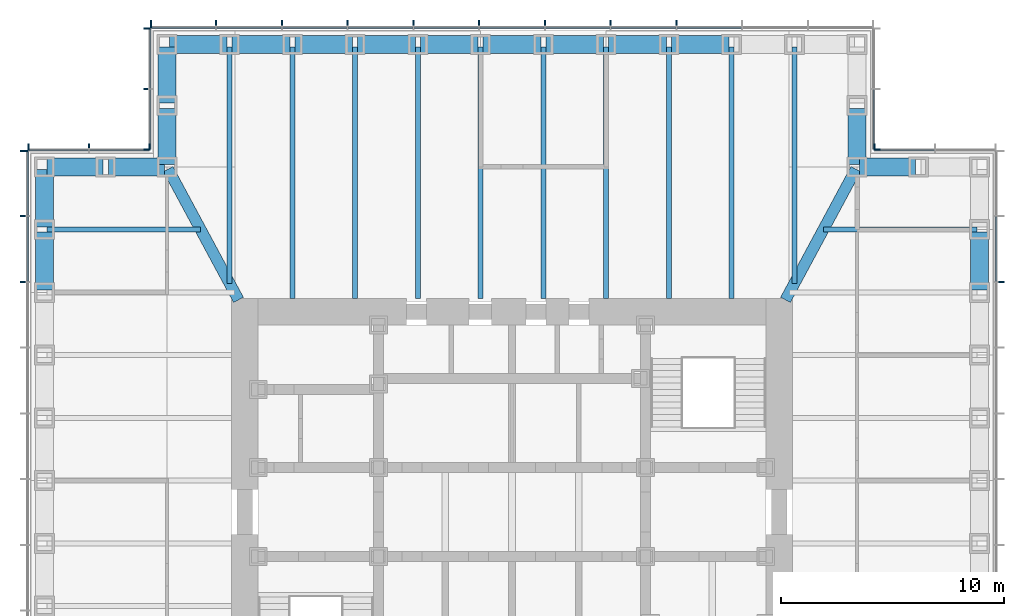
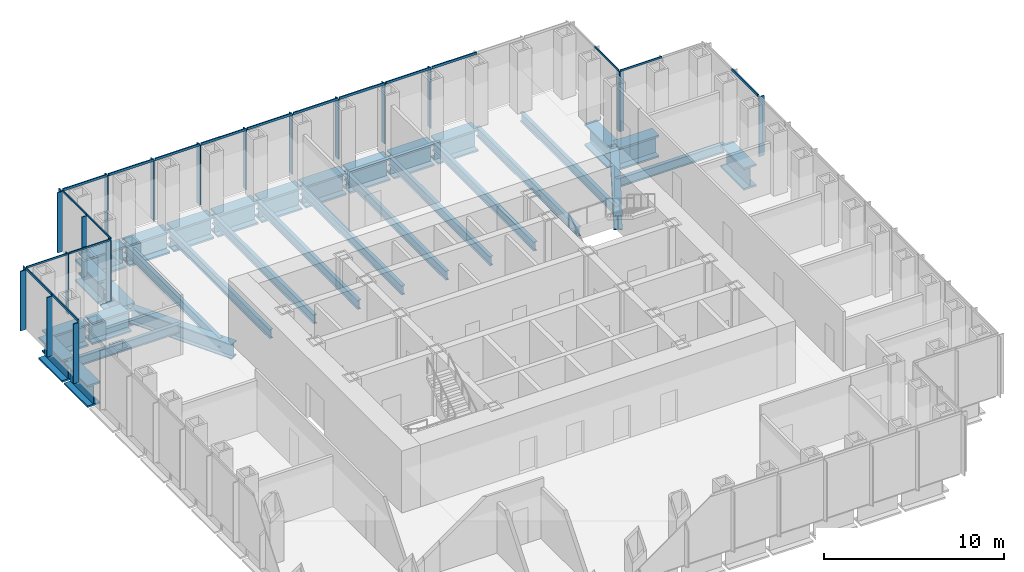
# One storey, part 5 of 16: 39 members, 32 beams, 7 elements without a shape of their own.
"""IFC4 building model written with IfcOpenShell, lengths in metres."""

from ifc_helpers import new_model, si_unit, direction, frame, origin, origin_2d, place, context, subcontext, project, spatial, rectangle, i_section, extrude, material, material_profile, profile_set, type_object, element, aggregate, save


model = new_model("IFC4")

# Units and contexts
model_context = context("Model", 3, precision=1e-05, world=origin(), true_north=direction((0.0, 1.0)))
body_context = subcontext(model_context, "Body", "Model", "MODEL_VIEW")
ifc_project = project(units=[si_unit("LENGTHUNIT", "METRE"), si_unit("AREAUNIT", "SQUARE_METRE"), si_unit("VOLUMEUNIT", "CUBIC_METRE"), si_unit("PLANEANGLEUNIT", "RADIAN"), si_unit("MASSUNIT", "GRAM", prefix="KILO")], contexts=[model_context])

# Site, building, storey
site_placement = place(None, origin())
site = spatial("IfcSite", under=ifc_project, at=site_placement, CompositionType="ELEMENT")
building_placement = place(site_placement, origin())
building = spatial("IfcBuilding", under=site, at=building_placement, Name="Daluyong Arena Tower", CompositionType="ELEMENT")
storey_placement = place(building_placement, frame((0.0, 0.0, 202.300048828125)))
storey = spatial("IfcBuildingStorey", under=building, at=storey_placement, Name="L45", CompositionType="ELEMENT", Elevation=202.300048828125)

# Curtain wall, member
ifc_material_1 = material(Name="Bronze anodised aluminium and glass", Category="aluminium")
curtain_wall_type_1 = type_object("IfcCurtainWallType", Name="Curtain wall CW3", PredefinedType="USERDEFINED", material=ifc_material_1)
curtain_wall_1_placement = place(storey_placement, origin())
curtain_wall_1 = element("IfcCurtainWall", 1, at=curtain_wall_1_placement, inside=storey, type_object=curtain_wall_type_1, Name="curtain wall L45 E", ObjectType="UNITISED CURTAIN WALL", PredefinedType="USERDEFINED")
ifc_material_2 = material(Name="Bronze anodised aluminium fin", Category="aluminium")
ifc_material_profile_1 = material_profile(ifc_material_2, rectangle(XDim=0.35009765625, YDim=0.070068359375, at=origin_2d()))
ifc_profile_set_1 = profile_set([ifc_material_profile_1], Name="Bronze anodised aluminium fin")
member_type_1 = type_object("IfcMemberType", Name="CW3 bronze fin 350x70", PredefinedType="MULLION", material=ifc_profile_set_1)
member_1_placement = place(storey_placement, frame((77.925048828125, 90.3408203125, 0.0), z_axis=(0.0, 0.0, 1.0), x_axis=(-1.0, 0.0, 0.0)))
member_1 = element("IfcMember", 2, at=member_1_placement, type_object=member_type_1, Name="curtain wall L45 E fin 10", PredefinedType="MULLION", context=body_context, shape_type="SweptSolid", body=[
    extrude(rectangle(XDim=0.35009765625, YDim=0.070068359375, at=origin_2d()), origin(), (0.0, 0.0, 1.0), 4.0400390625),
])

# Curtain wall, members
curtain_wall_2_placement = place(storey_placement, origin())
curtain_wall_2 = element("IfcCurtainWall", 3, at=curtain_wall_2_placement, inside=storey, type_object=curtain_wall_type_1, Name="curtain wall L45 N", ObjectType="UNITISED CURTAIN WALL", PredefinedType="USERDEFINED")
member_2_placement = place(storey_placement, frame((63.386474609375, 101.925048828125, 0.0), z_axis=(0.0, 0.0, 1.0), x_axis=(0.0, -1.0, 0.0)))
member_2 = element("IfcMember", 4, at=member_2_placement, type_object=member_type_1, Name="curtain wall L45 N fin 4", PredefinedType="MULLION", context=body_context, shape_type="SweptSolid", body=[
    extrude(rectangle(XDim=0.35009765625, YDim=0.070068359375, at=origin_2d()), origin(), (0.0, 0.0, 1.0), 4.0400390625),
])
member_3_placement = place(storey_placement, frame((60.431884765625, 101.925048828125, 0.0), z_axis=(0.0, 0.0, 1.0), x_axis=(0.0, -1.0, 0.0)))
member_3 = element("IfcMember", 5, at=member_3_placement, type_object=member_type_1, Name="curtain wall L45 N fin 5", PredefinedType="MULLION", context=body_context, shape_type="SweptSolid", body=[
    extrude(rectangle(XDim=0.35009765625, YDim=0.070068359375, at=origin_2d()), origin(), (0.0, 0.0, 1.0), 4.0400390625),
])
member_4_placement = place(storey_placement, frame((57.477294921875, 101.925048828125, 0.0), z_axis=(0.0, 0.0, 1.0), x_axis=(0.0, -1.0, 0.0)))
member_4 = element("IfcMember", 6, at=member_4_placement, type_object=member_type_1, Name="curtain wall L45 N fin 6", PredefinedType="MULLION", context=body_context, shape_type="SweptSolid", body=[
    extrude(rectangle(XDim=0.35009765625, YDim=0.070068359375, at=origin_2d()), origin(), (0.0, 0.0, 1.0), 4.0400390625),
])
member_5_placement = place(storey_placement, frame((54.522705078125, 101.925048828125, 0.0), z_axis=(0.0, 0.0, 1.0), x_axis=(0.0, -1.0, 0.0)))
member_5 = element("IfcMember", 7, at=member_5_placement, type_object=member_type_1, Name="curtain wall L45 N fin 7", PredefinedType="MULLION", context=body_context, shape_type="SweptSolid", body=[
    extrude(rectangle(XDim=0.35009765625, YDim=0.070068359375, at=origin_2d()), origin(), (0.0, 0.0, 1.0), 4.0400390625),
])
member_6_placement = place(storey_placement, frame((51.568115234375, 101.925048828125, 0.0), z_axis=(0.0, 0.0, 1.0), x_axis=(0.0, -1.0, 0.0)))
member_6 = element("IfcMember", 8, at=member_6_placement, type_object=member_type_1, Name="curtain wall L45 N fin 8", PredefinedType="MULLION", context=body_context, shape_type="SweptSolid", body=[
    extrude(rectangle(XDim=0.35009765625, YDim=0.070068359375, at=origin_2d()), origin(), (0.0, 0.0, 1.0), 4.0400390625),
])
member_7_placement = place(storey_placement, frame((48.613525390625, 101.925048828125, 0.0), z_axis=(0.0, 0.0, 1.0), x_axis=(0.0, -1.0, 0.0)))
member_7 = element("IfcMember", 9, at=member_7_placement, type_object=member_type_1, Name="curtain wall L45 N fin 9", PredefinedType="MULLION", context=body_context, shape_type="SweptSolid", body=[
    extrude(rectangle(XDim=0.35009765625, YDim=0.070068359375, at=origin_2d()), origin(), (0.0, 0.0, 1.0), 4.0400390625),
])
member_8_placement = place(storey_placement, frame((45.6591796875, 101.925048828125, 0.0), z_axis=(0.0, 0.0, 1.0), x_axis=(0.0, -1.0, 0.0)))
member_8 = element("IfcMember", 10, at=member_8_placement, type_object=member_type_1, Name="curtain wall L45 N fin 10", PredefinedType="MULLION", context=body_context, shape_type="SweptSolid", body=[
    extrude(rectangle(XDim=0.35009765625, YDim=0.070068359375, at=origin_2d()), origin(), (0.0, 0.0, 1.0), 4.0400390625),
])
member_9_placement = place(storey_placement, frame((42.70458984375, 101.925048828125, 0.0), z_axis=(0.0, 0.0, 1.0), x_axis=(0.0, -1.0, 0.0)))
member_9 = element("IfcMember", 11, at=member_9_placement, type_object=member_type_1, Name="curtain wall L45 N fin 11", PredefinedType="MULLION", context=body_context, shape_type="SweptSolid", body=[
    extrude(rectangle(XDim=0.35009765625, YDim=0.070068359375, at=origin_2d()), origin(), (0.0, 0.0, 1.0), 4.0400390625),
])
member_10_placement = place(storey_placement, frame((39.784912109375, 101.925048828125, 0.0), z_axis=(0.0, 0.0, 1.0), x_axis=(0.0, -1.0, 0.0)))
member_10 = element("IfcMember", 12, at=member_10_placement, type_object=member_type_1, Name="curtain wall L45 N fin 12", PredefinedType="MULLION", context=body_context, shape_type="SweptSolid", body=[
    extrude(rectangle(XDim=0.35009765625, YDim=0.070068359375, at=origin_2d()), origin(), (0.0, 0.0, 1.0), 4.0400390625),
])

curtain_wall_3_placement = place(storey_placement, origin())
curtain_wall_3 = element("IfcCurtainWall", 13, at=curtain_wall_3_placement, inside=storey, type_object=curtain_wall_type_1, Name="curtain wall L45 W", ObjectType="UNITISED CURTAIN WALL", PredefinedType="USERDEFINED")
member_11_placement = place(storey_placement, frame((34.074951171875, 96.215087890625, 0.0), z_axis=(0.0, 0.0, 1.0), x_axis=(1.0, 0.0, 0.0)))
member_11 = element("IfcMember", 14, at=member_11_placement, type_object=member_type_1, Name="curtain wall L45 W fin 1", PredefinedType="MULLION", context=body_context, shape_type="SweptSolid", body=[
    extrude(rectangle(XDim=0.35009765625, YDim=0.070068359375, at=origin_2d()), origin(), (0.0, 0.0, 1.0), 4.0400390625),
])
member_12_placement = place(storey_placement, frame((34.074951171875, 93.29541015625, 0.0), z_axis=(0.0, 0.0, 1.0), x_axis=(1.0, 0.0, 0.0)))
member_12 = element("IfcMember", 15, at=member_12_placement, type_object=member_type_1, Name="curtain wall L45 W fin 2", PredefinedType="MULLION", context=body_context, shape_type="SweptSolid", body=[
    extrude(rectangle(XDim=0.35009765625, YDim=0.070068359375, at=origin_2d()), origin(), (0.0, 0.0, 1.0), 4.0400390625),
])
member_13_placement = place(storey_placement, frame((34.074951171875, 90.3408203125, 0.0), z_axis=(0.0, 0.0, 1.0), x_axis=(1.0, 0.0, 0.0)))
member_13 = element("IfcMember", 16, at=member_13_placement, type_object=member_type_1, Name="curtain wall L45 W fin 3", PredefinedType="MULLION", context=body_context, shape_type="SweptSolid", body=[
    extrude(rectangle(XDim=0.35009765625, YDim=0.070068359375, at=origin_2d()), origin(), (0.0, 0.0, 1.0), 4.0400390625),
])

# Member
ifc_material_3 = material(Name="Bronze anodised aluminium", Category="aluminium")
ifc_material_profile_2 = material_profile(ifc_material_3, rectangle(XDim=0.070068359375, YDim=0.159912109375, at=origin_2d()))
ifc_profile_set_2 = profile_set([ifc_material_profile_2], Name="Bronze anodised aluminium")
member_type_2 = type_object("IfcMemberType", Name="CW3 stack transom 160x70", PredefinedType="USERDEFINED", material=ifc_profile_set_2)
member_14_placement = place(storey_placement, frame((77.75, 90.3759765625, 4.119873046875), z_axis=(0.0, 1.0, 0.0), x_axis=(-1.0, 0.0, 0.0)))
member_14 = element("IfcMember", 17, at=member_14_placement, type_object=member_type_2, Name="curtain wall L45 E transom 10", ObjectType="TRANSOM", PredefinedType="USERDEFINED", context=body_context, shape_type="SweptSolid", body=[
    extrude(rectangle(XDim=0.070068359375, YDim=0.159912109375, at=origin_2d()), origin(), (0.0, 0.0, 1.0), 2.884521484375),
])

aggregate(curtain_wall_1, [member_1, member_14])

member_15_placement = place(storey_placement, frame((66.305908203125, 101.75, 4.119873046875), z_axis=(-1.0, 0.0, 0.0), x_axis=(0.0, -1.0, 0.0)))
member_15 = element("IfcMember", 18, at=member_15_placement, type_object=member_type_2, Name="curtain wall L45 N transom 3", ObjectType="TRANSOM", PredefinedType="USERDEFINED", context=body_context, shape_type="SweptSolid", body=[
    extrude(rectangle(XDim=0.070068359375, YDim=0.159912109375, at=origin_2d()), origin(), (0.0, 0.0, 1.0), 2.884521484375),
])

member_16_placement = place(storey_placement, frame((63.351318359375, 101.75, 4.119873046875), z_axis=(-1.0, 0.0, 0.0), x_axis=(0.0, -1.0, 0.0)))
member_16 = element("IfcMember", 19, at=member_16_placement, type_object=member_type_2, Name="curtain wall L45 N transom 4", ObjectType="TRANSOM", PredefinedType="USERDEFINED", context=body_context, shape_type="SweptSolid", body=[
    extrude(rectangle(XDim=0.070068359375, YDim=0.159912109375, at=origin_2d()), origin(), (0.0, 0.0, 1.0), 2.884521484375),
])

member_17_placement = place(storey_placement, frame((60.396728515625, 101.75, 4.119873046875), z_axis=(-1.0, 0.0, 0.0), x_axis=(0.0, -1.0, 0.0)))
member_17 = element("IfcMember", 20, at=member_17_placement, type_object=member_type_2, Name="curtain wall L45 N transom 5", ObjectType="TRANSOM", PredefinedType="USERDEFINED", context=body_context, shape_type="SweptSolid", body=[
    extrude(rectangle(XDim=0.070068359375, YDim=0.159912109375, at=origin_2d()), origin(), (0.0, 0.0, 1.0), 2.884521484375),
])

member_18_placement = place(storey_placement, frame((57.4423828125, 101.75, 4.119873046875), z_axis=(-1.0, 0.0, 0.0), x_axis=(0.0, -1.0, 0.0)))
member_18 = element("IfcMember", 21, at=member_18_placement, type_object=member_type_2, Name="curtain wall L45 N transom 6", ObjectType="TRANSOM", PredefinedType="USERDEFINED", context=body_context, shape_type="SweptSolid", body=[
    extrude(rectangle(XDim=0.070068359375, YDim=0.159912109375, at=origin_2d()), origin(), (0.0, 0.0, 1.0), 2.884765625),
])

member_19_placement = place(storey_placement, frame((54.48779296875, 101.75, 4.119873046875), z_axis=(-1.0, 0.0, 0.0), x_axis=(0.0, -1.0, 0.0)))
member_19 = element("IfcMember", 22, at=member_19_placement, type_object=member_type_2, Name="curtain wall L45 N transom 7", ObjectType="TRANSOM", PredefinedType="USERDEFINED", context=body_context, shape_type="SweptSolid", body=[
    extrude(rectangle(XDim=0.070068359375, YDim=0.159912109375, at=origin_2d()), origin(), (0.0, 0.0, 1.0), 2.884521484375),
])

member_20_placement = place(storey_placement, frame((51.533203125, 101.75, 4.119873046875), z_axis=(-1.0, 0.0, 0.0), x_axis=(0.0, -1.0, 0.0)))
member_20 = element("IfcMember", 23, at=member_20_placement, type_object=member_type_2, Name="curtain wall L45 N transom 8", ObjectType="TRANSOM", PredefinedType="USERDEFINED", context=body_context, shape_type="SweptSolid", body=[
    extrude(rectangle(XDim=0.070068359375, YDim=0.159912109375, at=origin_2d()), origin(), (0.0, 0.0, 1.0), 2.884521484375),
])

member_21_placement = place(storey_placement, frame((48.57861328125, 101.75, 4.119873046875), z_axis=(-1.0, 0.0, 0.0), x_axis=(0.0, -1.0, 0.0)))
member_21 = element("IfcMember", 24, at=member_21_placement, type_object=member_type_2, Name="curtain wall L45 N transom 9", ObjectType="TRANSOM", PredefinedType="USERDEFINED", context=body_context, shape_type="SweptSolid", body=[
    extrude(rectangle(XDim=0.070068359375, YDim=0.159912109375, at=origin_2d()), origin(), (0.0, 0.0, 1.0), 2.884521484375),
])

member_22_placement = place(storey_placement, frame((45.6240234375, 101.75, 4.119873046875), z_axis=(-1.0, 0.0, 0.0), x_axis=(0.0, -1.0, 0.0)))
member_22 = element("IfcMember", 25, at=member_22_placement, type_object=member_type_2, Name="curtain wall L45 N transom 10", ObjectType="TRANSOM", PredefinedType="USERDEFINED", context=body_context, shape_type="SweptSolid", body=[
    extrude(rectangle(XDim=0.070068359375, YDim=0.159912109375, at=origin_2d()), origin(), (0.0, 0.0, 1.0), 2.884521484375),
])

member_23_placement = place(storey_placement, frame((42.66943359375, 101.75, 4.119873046875), z_axis=(-1.0, 0.0, 0.0), x_axis=(0.0, -1.0, 0.0)))
member_23 = element("IfcMember", 26, at=member_23_placement, type_object=member_type_2, Name="curtain wall L45 N transom 11", ObjectType="TRANSOM", PredefinedType="USERDEFINED", context=body_context, shape_type="SweptSolid", body=[
    extrude(rectangle(XDim=0.070068359375, YDim=0.159912109375, at=origin_2d()), origin(), (0.0, 0.0, 1.0), 2.849365234375),
])

aggregate(curtain_wall_2, [member_2, member_3, member_4, member_5, member_6, member_7, member_8, member_9, member_10, member_15, member_16, member_17, member_18, member_19, member_20, member_21, member_22, member_23])

member_24_placement = place(storey_placement, frame((34.25, 96.179931640625, 4.119873046875), z_axis=(0.0, -1.0, 0.0), x_axis=(1.0, 0.0, 0.0)))
member_24 = element("IfcMember", 27, at=member_24_placement, type_object=member_type_2, Name="curtain wall L45 W transom 1", ObjectType="TRANSOM", PredefinedType="USERDEFINED", context=body_context, shape_type="SweptSolid", body=[
    extrude(rectangle(XDim=0.070068359375, YDim=0.159912109375, at=origin_2d()), origin(), (0.0, 0.0, 1.0), 2.849365234375),
])

member_25_placement = place(storey_placement, frame((34.25, 93.260498046875, 4.119873046875), z_axis=(0.0, -1.0, 0.0), x_axis=(1.0, 0.0, 0.0)))
member_25 = element("IfcMember", 28, at=member_25_placement, type_object=member_type_2, Name="curtain wall L45 W transom 2", ObjectType="TRANSOM", PredefinedType="USERDEFINED", context=body_context, shape_type="SweptSolid", body=[
    extrude(rectangle(XDim=0.070068359375, YDim=0.159912109375, at=origin_2d()), origin(), (0.0, 0.0, 1.0), 2.884521484375),
])

aggregate(curtain_wall_3, [member_11, member_12, member_13, member_24, member_25])

# Curtain wall, member
ifc_material_4 = material(Name="Bronze anodised aluminium and glass", Category="aluminium")
curtain_wall_type_2 = type_object("IfcCurtainWallType", Name="Curtain wall CW7", PredefinedType="USERDEFINED", material=ifc_material_4)
curtain_wall_4_placement = place(storey_placement, origin())
curtain_wall_4 = element("IfcCurtainWall", 29, at=curtain_wall_4_placement, inside=storey, type_object=curtain_wall_type_2, Name="curtain wall L45 NE-N", ObjectType="UNITISED CURTAIN WALL", PredefinedType="USERDEFINED")
ifc_material_5 = material(Name="Bronze anodised aluminium fin", Category="aluminium")
ifc_material_profile_3 = material_profile(ifc_material_5, rectangle(XDim=0.300048828125, YDim=0.06005859375, at=origin_2d()))
ifc_profile_set_3 = profile_set([ifc_material_profile_3], Name="Bronze anodised aluminium fin")
member_type_3 = type_object("IfcMemberType", Name="CW7 bronze fin 300x60", PredefinedType="MULLION", material=ifc_profile_set_3)
member_26_placement = place(storey_placement, frame((72.280029296875, 96.39990234375, 0.0), z_axis=(0.0, 0.0, 1.0), x_axis=(0.0, -1.0, 0.0)))
member_26 = element("IfcMember", 30, at=member_26_placement, type_object=member_type_3, Name="curtain wall L45 NE-N fin 3", PredefinedType="MULLION", context=body_context, shape_type="SweptSolid", body=[
    extrude(rectangle(XDim=0.300048828125, YDim=0.06005859375, at=origin_2d()), origin(), (0.0, 0.0, 1.0), 4.079833984375),
])

curtain_wall_5_placement = place(storey_placement, origin())
curtain_wall_5 = element("IfcCurtainWall", 31, at=curtain_wall_5_placement, inside=storey, type_object=curtain_wall_type_2, Name="curtain wall L45 NE-E", ObjectType="UNITISED CURTAIN WALL", PredefinedType="USERDEFINED")
member_27_placement = place(storey_placement, frame((72.39990234375, 96.280029296875, 0.0), z_axis=(0.0, 0.0, 1.0), x_axis=(-1.0, 0.0, 0.0)))
member_27 = element("IfcMember", 32, at=member_27_placement, type_object=member_type_3, Name="curtain wall L45 NE-E fin 1", PredefinedType="MULLION", context=body_context, shape_type="SweptSolid", body=[
    extrude(rectangle(XDim=0.300048828125, YDim=0.06005859375, at=origin_2d()), origin(), (0.0, 0.0, 1.0), 4.079833984375),
])

# Curtain wall, members
curtain_wall_6_placement = place(storey_placement, origin())
curtain_wall_6 = element("IfcCurtainWall", 33, at=curtain_wall_6_placement, inside=storey, type_object=curtain_wall_type_2, Name="curtain wall L45 NW-W", ObjectType="UNITISED CURTAIN WALL", PredefinedType="USERDEFINED")
member_28_placement = place(storey_placement, frame((39.60009765625, 101.719970703125, 0.0), z_axis=(0.0, 0.0, 1.0), x_axis=(1.0, 0.0, 0.0)))
member_28 = element("IfcMember", 34, at=member_28_placement, type_object=member_type_3, Name="curtain wall L45 NW-W fin 1", PredefinedType="MULLION", context=body_context, shape_type="SweptSolid", body=[
    extrude(rectangle(XDim=0.300048828125, YDim=0.06005859375, at=origin_2d()), origin(), (0.0, 0.0, 1.0), 4.079833984375),
])
member_29_placement = place(storey_placement, frame((39.60009765625, 99.0, 0.0), z_axis=(0.0, 0.0, 1.0), x_axis=(1.0, 0.0, 0.0)))
member_29 = element("IfcMember", 35, at=member_29_placement, type_object=member_type_3, Name="curtain wall L45 NW-W fin 2", PredefinedType="MULLION", context=body_context, shape_type="SweptSolid", body=[
    extrude(rectangle(XDim=0.300048828125, YDim=0.06005859375, at=origin_2d()), origin(), (0.0, 0.0, 1.0), 4.079833984375),
])
member_30_placement = place(storey_placement, frame((39.60009765625, 96.280029296875, 0.0), z_axis=(0.0, 0.0, 1.0), x_axis=(1.0, 0.0, 0.0)))
member_30 = element("IfcMember", 36, at=member_30_placement, type_object=member_type_3, Name="curtain wall L45 NW-W fin 3", PredefinedType="MULLION", context=body_context, shape_type="SweptSolid", body=[
    extrude(rectangle(XDim=0.300048828125, YDim=0.06005859375, at=origin_2d()), origin(), (0.0, 0.0, 1.0), 4.079833984375),
])

curtain_wall_7_placement = place(storey_placement, origin())
curtain_wall_7 = element("IfcCurtainWall", 37, at=curtain_wall_7_placement, inside=storey, type_object=curtain_wall_type_2, Name="curtain wall L45 NW-N", ObjectType="UNITISED CURTAIN WALL", PredefinedType="USERDEFINED")
member_31_placement = place(storey_placement, frame((39.719970703125, 96.39990234375, 0.0), z_axis=(0.0, 0.0, 1.0), x_axis=(0.0, -1.0, 0.0)))
member_31 = element("IfcMember", 38, at=member_31_placement, type_object=member_type_3, Name="curtain wall L45 NW-N fin 1", PredefinedType="MULLION", context=body_context, shape_type="SweptSolid", body=[
    extrude(rectangle(XDim=0.300048828125, YDim=0.06005859375, at=origin_2d()), origin(), (0.0, 0.0, 1.0), 4.079833984375),
])
member_32_placement = place(storey_placement, frame((37.0, 96.39990234375, 0.0), z_axis=(0.0, 0.0, 1.0), x_axis=(0.0, -1.0, 0.0)))
member_32 = element("IfcMember", 39, at=member_32_placement, type_object=member_type_3, Name="curtain wall L45 NW-N fin 2", PredefinedType="MULLION", context=body_context, shape_type="SweptSolid", body=[
    extrude(rectangle(XDim=0.300048828125, YDim=0.06005859375, at=origin_2d()), origin(), (0.0, 0.0, 1.0), 4.079833984375),
])
member_33_placement = place(storey_placement, frame((34.280029296875, 96.39990234375, 0.0), z_axis=(0.0, 0.0, 1.0), x_axis=(0.0, -1.0, 0.0)))
member_33 = element("IfcMember", 40, at=member_33_placement, type_object=member_type_3, Name="curtain wall L45 NW-N fin 3", PredefinedType="MULLION", context=body_context, shape_type="SweptSolid", body=[
    extrude(rectangle(XDim=0.300048828125, YDim=0.06005859375, at=origin_2d()), origin(), (0.0, 0.0, 1.0), 4.079833984375),
])

# Member
ifc_material_6 = material(Name="Bronze anodised aluminium", Category="aluminium")
ifc_material_profile_4 = material_profile(ifc_material_6, rectangle(XDim=0.06005859375, YDim=0.1201171875, at=origin_2d()))
ifc_profile_set_4 = profile_set([ifc_material_profile_4], Name="Bronze anodised aluminium")
member_type_4 = type_object("IfcMemberType", Name="CW7 stack transom 120x60", PredefinedType="USERDEFINED", material=ifc_profile_set_4)
member_34_placement = place(storey_placement, frame((74.969970703125, 96.25, 4.139892578125), z_axis=(-1.0, 0.0, 0.0), x_axis=(0.0, -1.0, 0.0)))
member_34 = element("IfcMember", 41, at=member_34_placement, type_object=member_type_4, Name="curtain wall L45 NE-N transom 2", ObjectType="TRANSOM", PredefinedType="USERDEFINED", context=body_context, shape_type="SweptSolid", body=[
    extrude(rectangle(XDim=0.06005859375, YDim=0.1201171875, at=origin_2d()), origin(), (0.0, 0.0, 1.0), 2.659912109375),
])

aggregate(curtain_wall_4, [member_26, member_34])

member_35_placement = place(storey_placement, frame((72.25, 96.31005859375, 4.139892578125), z_axis=(0.0, 1.0, 0.0), x_axis=(-1.0, 0.0, 0.0)))
member_35 = element("IfcMember", 42, at=member_35_placement, type_object=member_type_4, Name="curtain wall L45 NE-E transom 1", ObjectType="TRANSOM", PredefinedType="USERDEFINED", context=body_context, shape_type="SweptSolid", body=[
    extrude(rectangle(XDim=0.06005859375, YDim=0.1201171875, at=origin_2d()), origin(), (0.0, 0.0, 1.0), 2.659912109375),
])

aggregate(curtain_wall_5, [member_27, member_35])

member_36_placement = place(storey_placement, frame((39.75, 101.68994140625, 4.139892578125), z_axis=(0.0, -1.0, 0.0), x_axis=(1.0, 0.0, 0.0)))
member_36 = element("IfcMember", 43, at=member_36_placement, type_object=member_type_4, Name="curtain wall L45 NW-W transom 1", ObjectType="TRANSOM", PredefinedType="USERDEFINED", context=body_context, shape_type="SweptSolid", body=[
    extrude(rectangle(XDim=0.06005859375, YDim=0.1201171875, at=origin_2d()), origin(), (0.0, 0.0, 1.0), 2.659912109375),
])

member_37_placement = place(storey_placement, frame((39.75, 98.969970703125, 4.139892578125), z_axis=(0.0, -1.0, 0.0), x_axis=(1.0, 0.0, 0.0)))
member_37 = element("IfcMember", 44, at=member_37_placement, type_object=member_type_4, Name="curtain wall L45 NW-W transom 2", ObjectType="TRANSOM", PredefinedType="USERDEFINED", context=body_context, shape_type="SweptSolid", body=[
    extrude(rectangle(XDim=0.06005859375, YDim=0.1201171875, at=origin_2d()), origin(), (0.0, 0.0, 1.0), 2.659912109375),
])

aggregate(curtain_wall_6, [member_28, member_29, member_30, member_36, member_37])

member_38_placement = place(storey_placement, frame((39.68994140625, 96.25, 4.139892578125), z_axis=(-1.0, 0.0, 0.0), x_axis=(0.0, -1.0, 0.0)))
member_38 = element("IfcMember", 45, at=member_38_placement, type_object=member_type_4, Name="curtain wall L45 NW-N transom 1", ObjectType="TRANSOM", PredefinedType="USERDEFINED", context=body_context, shape_type="SweptSolid", body=[
    extrude(rectangle(XDim=0.06005859375, YDim=0.1201171875, at=origin_2d()), origin(), (0.0, 0.0, 1.0), 2.659912109375),
])

member_39_placement = place(storey_placement, frame((36.969970703125, 96.25, 4.139892578125), z_axis=(-1.0, 0.0, 0.0), x_axis=(0.0, -1.0, 0.0)))
member_39 = element("IfcMember", 46, at=member_39_placement, type_object=member_type_4, Name="curtain wall L45 NW-N transom 2", ObjectType="TRANSOM", PredefinedType="USERDEFINED", context=body_context, shape_type="SweptSolid", body=[
    extrude(rectangle(XDim=0.06005859375, YDim=0.1201171875, at=origin_2d()), origin(), (0.0, 0.0, 1.0), 2.659912109375),
])

aggregate(curtain_wall_7, [member_31, member_32, member_33, member_38, member_39])

# Beams
ifc_material_7 = material(Name="Steel ASTM A572 Grade 50", Category="steel")
ifc_material_profile_5 = material_profile(ifc_material_7, i_section(OverallWidth=0.5, OverallDepth=1.0, WebThickness=0.03, FlangeThickness=0.06, at=origin_2d()))
ifc_profile_set_5 = profile_set([ifc_material_profile_5], Name="Steel ASTM A572 Grade 50")
beam_type_1 = type_object("IfcBeamType", Name="Corner girder TB1000X500", PredefinedType="BEAM", material=ifc_profile_set_5)
for number, where, z_axis, x_axis, name in (
    (47, (71.445556640625, 95.398681640625, -0.66015625), (-0.474119475266, -0.880460517669, 0.0), (0.880460517669, -0.474119475266, 0.0), "corner girder DG2"),
    (48, (40.554443359375, 95.398681640625, -0.66015625), (0.474119475266, -0.880460517669, 0.0), (0.880460517669, 0.474119475266, 0.0), "corner girder DG2"),
):
    element("IfcBeam", number, at=place(storey_placement, frame(where, z_axis=z_axis, x_axis=x_axis)), inside=storey, type_object=beam_type_1, Name=name, PredefinedType="BEAM", context=body_context, shape_type="SweptSolid", body=[
        extrude(i_section(OverallWidth=0.5, OverallDepth=1.0, WebThickness=0.03, FlangeThickness=0.06, at=origin_2d()), origin(), (0.0, 0.0, 1.0), 6.66748046875),
    ])
ifc_material_8 = material(Name="Steel ASTM A992 Grade 50", Category="steel")
ifc_material_profile_6 = material_profile(ifc_material_8, i_section(OverallWidth=0.22900390625, OverallDepth=0.612060546875, WebThickness=0.011962890625, FlangeThickness=0.01953125, at=origin_2d()))
ifc_profile_set_6 = profile_set([ifc_material_profile_6], Name="Steel ASTM A992 Grade 50")
beam_type_2 = type_object("IfcBeamType", Name="Floor beam W24X84", PredefinedType="BEAM", material=ifc_profile_set_6)
beam_1_placement = place(storey_placement, frame((76.885009765625, 92.681884765625, -0.466064453125), z_axis=(-1.0, 0.0, 0.0), x_axis=(0.0, -1.0, 0.0)))
element("IfcBeam", 49, at=beam_1_placement, inside=storey, type_object=beam_type_2, Name="floor beam FB3", PredefinedType="BEAM", context=body_context, shape_type="SweptSolid", body=[
    extrude(i_section(OverallWidth=0.22900390625, OverallDepth=0.612060546875, WebThickness=0.011962890625, FlangeThickness=0.01953125, at=origin_2d()), origin(), (0.0, 0.0, 1.0), 6.902587890625),
])
beam_2_placement = place(storey_placement, frame((68.681884765625, 100.885009765625, -0.466064453125), z_axis=(0.0, -1.0, 0.0), x_axis=(1.0, 0.0, 0.0)))
element("IfcBeam", 50, at=beam_2_placement, inside=storey, type_object=beam_type_2, Name="floor beam FB3", PredefinedType="BEAM", context=body_context, shape_type="SweptSolid", body=[
    extrude(i_section(OverallWidth=0.22900390625, OverallDepth=0.612060546875, WebThickness=0.011962890625, FlangeThickness=0.01953125, at=origin_2d()), origin(), (0.0, 0.0, 1.0), 10.618896484375),
])
for number, where, z_axis, x_axis, name in (
    (51, (65.863525390625, 100.885009765625, -0.466064453125), (0.0, -1.0, 0.0), (1.0, 0.0, 0.0), "floor beam FB3"),
    (52, (63.04541015625, 100.885009765625, -0.466064453125), (0.0, -1.0, 0.0), (1.0, 0.0, 0.0), "floor beam FB3"),
    (53, (60.227294921875, 100.885009765625, -0.466064453125), (0.0, -1.0, 0.0), (1.0, 0.0, 0.0), "floor beam FB3"),
    (54, (57.4091796875, 100.885009765625, -0.466064453125), (0.0, -1.0, 0.0), (1.0, 0.0, 0.0), "floor beam FB3"),
    (55, (54.5908203125, 100.885009765625, -0.466064453125), (0.0, -1.0, 0.0), (1.0, 0.0, 0.0), "floor beam FB3"),
    (56, (51.772705078125, 100.885009765625, -0.466064453125), (0.0, -1.0, 0.0), (1.0, 0.0, 0.0), "floor beam FB3"),
    (57, (48.95458984375, 100.885009765625, -0.466064453125), (0.0, -1.0, 0.0), (1.0, 0.0, 0.0), "floor beam FB3"),
    (58, (46.136474609375, 100.885009765625, -0.466064453125), (0.0, -1.0, 0.0), (1.0, 0.0, 0.0), "floor beam FB3"),
):
    element("IfcBeam", number, at=place(storey_placement, frame(where, z_axis=z_axis, x_axis=x_axis)), inside=storey, type_object=beam_type_2, Name=name, PredefinedType="BEAM", context=body_context, shape_type="SweptSolid", body=[
        extrude(i_section(OverallWidth=0.22900390625, OverallDepth=0.612060546875, WebThickness=0.011962890625, FlangeThickness=0.01953125, at=origin_2d()), origin(), (0.0, 0.0, 1.0), 11.284912109375),
    ])
beam_3_placement = place(storey_placement, frame((43.318115234375, 100.885009765625, -0.466064453125), z_axis=(0.0, -1.0, 0.0), x_axis=(1.0, 0.0, 0.0)))
element("IfcBeam", 59, at=beam_3_placement, inside=storey, type_object=beam_type_2, Name="floor beam FB3", PredefinedType="BEAM", context=body_context, shape_type="SweptSolid", body=[
    extrude(i_section(OverallWidth=0.22900390625, OverallDepth=0.612060546875, WebThickness=0.011962890625, FlangeThickness=0.01953125, at=origin_2d()), origin(), (0.0, 0.0, 1.0), 10.618896484375),
])
beam_4_placement = place(storey_placement, frame((35.114990234375, 92.681884765625, -0.466064453125), z_axis=(1.0, 0.0, 0.0), x_axis=(0.0, 1.0, 0.0)))
element("IfcBeam", 60, at=beam_4_placement, inside=storey, type_object=beam_type_2, Name="floor beam FB3", PredefinedType="BEAM", context=body_context, shape_type="SweptSolid", body=[
    extrude(i_section(OverallWidth=0.22900390625, OverallDepth=0.612060546875, WebThickness=0.011962890625, FlangeThickness=0.01953125, at=origin_2d()), origin(), (0.0, 0.0, 1.0), 6.902587890625),
])
ifc_material_9 = material(Name="Steel ASTM A588 Grade 50", Category="steel")
ifc_material_profile_7 = material_profile(ifc_material_9, i_section(OverallWidth=0.800048828125, OverallDepth=1.5, WebThickness=0.05, FlangeThickness=0.12, at=origin_2d()))
ifc_profile_set_7 = profile_set([ifc_material_profile_7], Name="Steel ASTM A588 Grade 50")
beam_type_3 = type_object("IfcBeamType", Name="Spandrel Z3 PG1500X800", PredefinedType="SPANDREL", material=ifc_profile_set_7)
beam_5_placement = place(storey_placement, frame((77.0, 89.978515625, -0.91015625), z_axis=(0.0, 1.0, 0.0), x_axis=(-1.0, 0.0, 0.0)))
element("IfcBeam", 61, at=beam_5_placement, inside=storey, type_object=beam_type_3, Name="spandrel z3 SB7", PredefinedType="SPANDREL", context=body_context, shape_type="SweptSolid", body=[
    extrude(i_section(OverallWidth=0.800048828125, OverallDepth=1.5, WebThickness=0.05, FlangeThickness=0.12, at=origin_2d()), origin(), (0.0, 0.0, 1.0), 2.58837890625),
])
for number, where, z_axis, x_axis, name in (
    (62, (74.135009765625, 95.5, -0.91015625), (-1.0, 0.0, 0.0), (0.0, -1.0, 0.0), "spandrel z3 SB7"),
    (63, (71.5, 95.614990234375, -0.91015625), (0.0, 1.0, 0.0), (-1.0, 0.0, 0.0), "spandrel z3 SB7"),
):
    element("IfcBeam", number, at=place(storey_placement, frame(where, z_axis=z_axis, x_axis=x_axis)), inside=storey, type_object=beam_type_3, Name=name, PredefinedType="SPANDREL", context=body_context, shape_type="SweptSolid", body=[
        extrude(i_section(OverallWidth=0.800048828125, OverallDepth=1.5, WebThickness=0.05, FlangeThickness=0.12, at=origin_2d()), origin(), (0.0, 0.0, 1.0), 2.52001953125),
    ])
for number, where, z_axis, x_axis, name in (
    (64, (65.74853515625, 101.0, -0.91015625), (-1.0, 0.0, 0.0), (0.0, -1.0, 0.0), "spandrel z3 SB7"),
    (65, (62.930419921875, 101.0, -0.91015625), (-1.0, 0.0, 0.0), (0.0, -1.0, 0.0), "spandrel z3 SB7"),
    (66, (60.1123046875, 101.0, -0.91015625), (-1.0, 0.0, 0.0), (0.0, -1.0, 0.0), "spandrel z3 SB7"),
):
    element("IfcBeam", number, at=place(storey_placement, frame(where, z_axis=z_axis, x_axis=x_axis)), inside=storey, type_object=beam_type_3, Name=name, PredefinedType="SPANDREL", context=body_context, shape_type="SweptSolid", body=[
        extrude(i_section(OverallWidth=0.800048828125, OverallDepth=1.5, WebThickness=0.05, FlangeThickness=0.12, at=origin_2d()), origin(), (0.0, 0.0, 1.0), 2.588134765625),
    ])
beam_6_placement = place(storey_placement, frame((57.294189453125, 101.0, -0.91015625), z_axis=(-1.0, 0.0, 0.0), x_axis=(0.0, -1.0, 0.0)))
element("IfcBeam", 67, at=beam_6_placement, inside=storey, type_object=beam_type_3, Name="spandrel z3 SB7", PredefinedType="SPANDREL", context=body_context, shape_type="SweptSolid", body=[
    extrude(i_section(OverallWidth=0.800048828125, OverallDepth=1.5, WebThickness=0.05, FlangeThickness=0.12, at=origin_2d()), origin(), (0.0, 0.0, 1.0), 2.58837890625),
])
for number, where, z_axis, x_axis, name in (
    (68, (54.475830078125, 101.0, -0.91015625), (-1.0, 0.0, 0.0), (0.0, -1.0, 0.0), "spandrel z3 SB7"),
    (69, (51.65771484375, 101.0, -0.91015625), (-1.0, 0.0, 0.0), (0.0, -1.0, 0.0), "spandrel z3 SB7"),
    (70, (48.839599609375, 101.0, -0.91015625), (-1.0, 0.0, 0.0), (0.0, -1.0, 0.0), "spandrel z3 SB7"),
):
    element("IfcBeam", number, at=place(storey_placement, frame(where, z_axis=z_axis, x_axis=x_axis)), inside=storey, type_object=beam_type_3, Name=name, PredefinedType="SPANDREL", context=body_context, shape_type="SweptSolid", body=[
        extrude(i_section(OverallWidth=0.800048828125, OverallDepth=1.5, WebThickness=0.05, FlangeThickness=0.12, at=origin_2d()), origin(), (0.0, 0.0, 1.0), 2.588134765625),
    ])
beam_7_placement = place(storey_placement, frame((46.021484375, 101.0, -0.91015625), z_axis=(-1.0, 0.0, 0.0), x_axis=(0.0, -1.0, 0.0)))
element("IfcBeam", 71, at=beam_7_placement, inside=storey, type_object=beam_type_3, Name="spandrel z3 SB7", PredefinedType="SPANDREL", context=body_context, shape_type="SweptSolid", body=[
    extrude(i_section(OverallWidth=0.800048828125, OverallDepth=1.5, WebThickness=0.05, FlangeThickness=0.12, at=origin_2d()), origin(), (0.0, 0.0, 1.0), 2.58837890625),
])
beam_8_placement = place(storey_placement, frame((43.203125, 101.0, -0.91015625), z_axis=(-1.0, 0.0, 0.0), x_axis=(0.0, -1.0, 0.0)))
element("IfcBeam", 72, at=beam_8_placement, inside=storey, type_object=beam_type_3, Name="spandrel z3 SB7", PredefinedType="SPANDREL", context=body_context, shape_type="SweptSolid", body=[
    extrude(i_section(OverallWidth=0.800048828125, OverallDepth=1.5, WebThickness=0.05, FlangeThickness=0.12, at=origin_2d()), origin(), (0.0, 0.0, 1.0), 2.588134765625),
])
for number, where, z_axis, x_axis, name in (
    (73, (40.5, 100.885009765625, -0.91015625), (0.0, -1.0, 0.0), (1.0, 0.0, 0.0), "spandrel z3 SB7"),
    (74, (40.5, 98.135009765625, -0.91015625), (0.0, -1.0, 0.0), (1.0, 0.0, 0.0), "spandrel z3 SB7"),
    (75, (40.385009765625, 95.5, -0.91015625), (-1.0, 0.0, 0.0), (0.0, -1.0, 0.0), "spandrel z3 SB7"),
    (76, (37.635009765625, 95.5, -0.91015625), (-1.0, 0.0, 0.0), (0.0, -1.0, 0.0), "spandrel z3 SB7"),
):
    element("IfcBeam", number, at=place(storey_placement, frame(where, z_axis=z_axis, x_axis=x_axis)), inside=storey, type_object=beam_type_3, Name=name, PredefinedType="SPANDREL", context=body_context, shape_type="SweptSolid", body=[
        extrude(i_section(OverallWidth=0.800048828125, OverallDepth=1.5, WebThickness=0.05, FlangeThickness=0.12, at=origin_2d()), origin(), (0.0, 0.0, 1.0), 2.52001953125),
    ])
beam_9_placement = place(storey_placement, frame((35.0, 95.385009765625, -0.91015625), z_axis=(0.0, -1.0, 0.0), x_axis=(1.0, 0.0, 0.0)))
element("IfcBeam", 77, at=beam_9_placement, inside=storey, type_object=beam_type_3, Name="spandrel z3 SB7", PredefinedType="SPANDREL", context=body_context, shape_type="SweptSolid", body=[
    extrude(i_section(OverallWidth=0.800048828125, OverallDepth=1.5, WebThickness=0.05, FlangeThickness=0.12, at=origin_2d()), origin(), (0.0, 0.0, 1.0), 2.588134765625),
])
beam_10_placement = place(storey_placement, frame((35.0, 92.56689453125, -0.91015625), z_axis=(0.0, -1.0, 0.0), x_axis=(1.0, 0.0, 0.0)))
element("IfcBeam", 78, at=beam_10_placement, inside=storey, type_object=beam_type_3, Name="spandrel z3 SB7", PredefinedType="SPANDREL", context=body_context, shape_type="SweptSolid", body=[
    extrude(i_section(OverallWidth=0.800048828125, OverallDepth=1.5, WebThickness=0.05, FlangeThickness=0.12, at=origin_2d()), origin(), (0.0, 0.0, 1.0), 2.58837890625),
])

save(model, "model.ifc")
